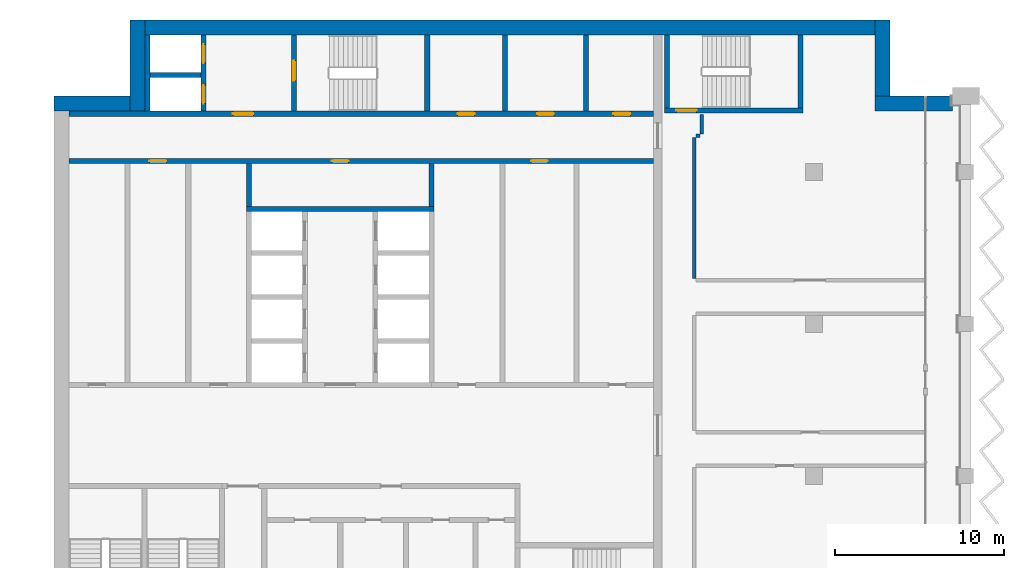
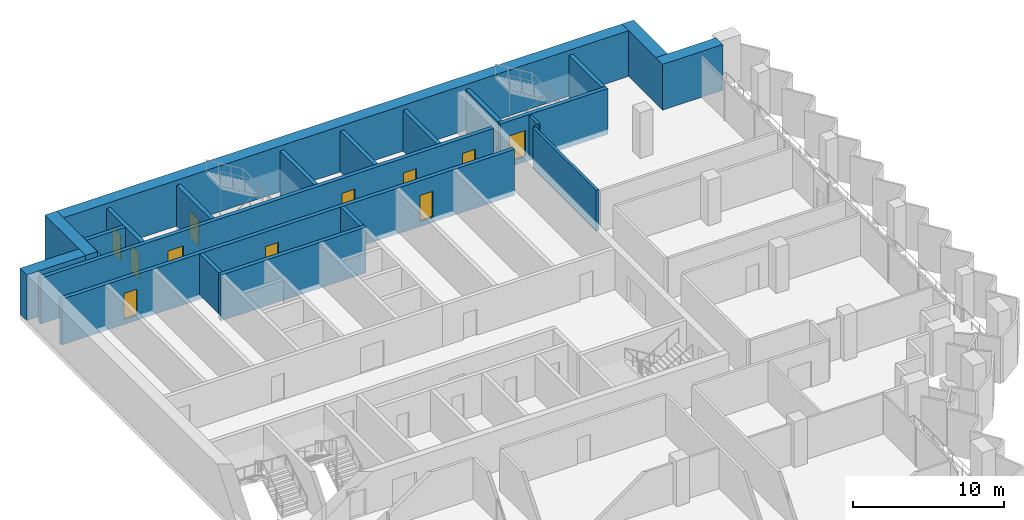
# One storey, part 10 of 16: 23 walls, 11 doors, 11 openings.
"""IFC4 building model written with IfcOpenShell, lengths in metres."""

from ifc_helpers import new_model, si_unit, direction, frame, frame_2d, origin, place, context, subcontext, project, spatial, rectangle, extrude, material, layer, layer_set, type_object, element, fill, save


model = new_model("IFC4")

# Units and contexts
model_context = context("Model", 3, precision=1e-05, world=origin(), true_north=direction((0.0, 1.0)))
body_context = subcontext(model_context, "Body", "Model", "MODEL_VIEW")
ifc_project = project(units=[si_unit("LENGTHUNIT", "METRE"), si_unit("AREAUNIT", "SQUARE_METRE"), si_unit("VOLUMEUNIT", "CUBIC_METRE"), si_unit("PLANEANGLEUNIT", "RADIAN"), si_unit("MASSUNIT", "GRAM", prefix="KILO")], contexts=[model_context])

# Site, building, storey
site_placement = place(None, origin())
site = spatial("IfcSite", under=ifc_project, at=site_placement, CompositionType="ELEMENT")
building_placement = place(site_placement, origin())
building = spatial("IfcBuilding", under=site, at=building_placement, Name="Hunhe Ridgeline Campus", CompositionType="ELEMENT")
storey_placement = place(building_placement, frame((0.0, 0.0, 246.60009765625)))
storey = spatial("IfcBuildingStorey", under=building, at=storey_placement, Name="L63", CompositionType="ELEMENT", Elevation=246.60009765625)

# Walls
ifc_material_1 = material(Name="Masonry concrete blockwork", Category="masonry")
ifc_layer_1 = layer(ifc_material_1, 0.300048828125)
ifc_layer_set_1 = layer_set([ifc_layer_1], Name="Core room partition 300 concrete block")
wall_type_1 = type_object("IfcWallType", Name="Core room partition 300 concrete block", PredefinedType="PARTITIONING", material=ifc_layer_set_1)
for number, where, z_axis, x_axis, name in (
    (1, (11.550048828125, 87.949951171875, 0.0), (0.0, 0.0, 1.0), (0.0, 1.0, 0.0), "L63 core partition 31"),
    (2, (22.35009765625, 87.949951171875, 0.0), (0.0, 0.0, 1.0), (0.0, 1.0, 0.0), "L63 core partition 41"),
):
    element("IfcWall", number, at=place(storey_placement, frame(where, z_axis=z_axis, x_axis=x_axis)), inside=storey, type_object=wall_type_1, Name=name, PredefinedType="PARTITIONING", context=body_context, shape_type="SweptSolid", body=[
        extrude(rectangle(XDim=2.550048828125, YDim=0.300048828125, at=frame_2d((1.27490234375, 0.0))), origin(), (0.0, 0.0, 1.0), 3.2998046875),
    ])
for number, where, z_axis, x_axis, name in (
    (3, (26.699951171875, 93.60009765625, 0.0), (0.0, 0.0, 1.0), (0.0, 1.0, 0.0), "L63 core partition 45"),
    (4, (31.5, 93.60009765625, 0.0), (0.0, 0.0, 1.0), (0.0, 1.0, 0.0), "L63 core partition 49"),
):
    element("IfcWall", number, at=place(storey_placement, frame(where, z_axis=z_axis, x_axis=x_axis)), inside=storey, type_object=wall_type_1, Name=name, PredefinedType="PARTITIONING", context=body_context, shape_type="SweptSolid", body=[
        extrude(rectangle(XDim=4.5, YDim=0.300048828125, at=frame_2d((2.25, 0.0))), origin(), (0.0, 0.0, 1.0), 3.2998046875),
    ])
ifc_material_2 = material(Name="Gypsum board partition")
ifc_layer_2 = layer(ifc_material_2, 0.199951171875)
ifc_layer_set_2 = layer_set([ifc_layer_2], Name="Corridor partition 200 gypsum board on steel studs")
wall_type_2 = type_object("IfcWallType", Name="Corridor partition 200 gypsum board on steel studs", PredefinedType="PARTITIONING", material=ifc_layer_set_2)
wall_1_placement = place(storey_placement, frame((38.25, 92.14990234375, 0.0), z_axis=(0.0, 0.0, 1.0), x_axis=(-1.0, 0.0, 0.0)))
element("IfcWall", 5, at=wall_1_placement, inside=storey, type_object=wall_type_2, Name="F-L63-wall-032", PredefinedType="PARTITIONING", context=body_context, shape_type="SweptSolid", body=[
    extrude(rectangle(XDim=0.25, YDim=0.199951171875, at=frame_2d((0.125, 0.0))), origin(), (0.0, 0.0, 1.0), 3.2998046875),
])
wall_2_placement = place(storey_placement, frame((37.89990234375, 92.050048828125, 0.0), z_axis=(0.0, 0.0, 1.0), x_axis=(0.0, -1.0, 0.0)))
element("IfcWall", 6, at=wall_2_placement, inside=storey, type_object=wall_type_2, Name="F-L63-wall-041", PredefinedType="PARTITIONING", context=body_context, shape_type="SweptSolid", body=[
    extrude(rectangle(XDim=8.35009765625, YDim=0.199951171875, at=frame_2d((4.175048828125, 0.0))), origin(), (0.0, 0.0, 1.0), 3.2998046875),
])
wall_3_placement = place(storey_placement, frame((38.35009765625, 93.39599609375, 0.0), z_axis=(0.0, 0.0, 1.0), x_axis=(0.0, -1.0, 0.0)))
element("IfcWall", 7, at=wall_3_placement, inside=storey, type_object=wall_type_2, Name="F-L63-wall-042", PredefinedType="PARTITIONING", context=body_context, shape_type="SweptSolid", body=[
    extrude(rectangle(XDim=1.14599609375, YDim=0.199951171875, at=frame_2d((0.572998046875, 0.0))), origin(), (0.0, 0.0, 1.0), 3.2998046875),
])

# Wall, openings, doors
ifc_material_3 = material(Name="Concrete C50", Category="concrete")
ifc_layer_3 = layer(ifc_material_3, 0.300048828125)
ifc_layer_set_3 = layer_set([ifc_layer_3], Name="Lobby wall 300 reinforced concrete C50")
wall_type_3 = type_object("IfcWallType", Name="Lobby wall 300 reinforced concrete C50", PredefinedType="SOLIDWALL", material=ifc_layer_set_3)
wall_4_placement = place(storey_placement, frame((0.89990234375, 90.64990234375, -0.400146484375), z_axis=(0.0, 0.0, 1.0), x_axis=(1.0, 0.0, 0.0)))
wall_4 = element("IfcWall", 8, at=wall_4_placement, inside=storey, type_object=wall_type_3, Name="L63 core wall 19", PredefinedType="SOLIDWALL", context=body_context, shape_type="SweptSolid", body=[
    extrude(rectangle(XDim=34.60009765625, YDim=0.300048828125, at=frame_2d((17.300048828125, 0.0))), origin(), (0.0, 0.0, 1.0), 3.699951171875),
])
opening_1_placement = place(wall_4_placement, frame((15.550048828125, 0.0, 0.39990234375)))
opening_1 = element("IfcOpeningElement", 9, at=opening_1_placement, cuts=wall_4, Name="Opening CD26", PredefinedType="OPENING", context=body_context, shape_type="SweptSolid", body=[
    extrude(rectangle(XDim=1.0, YDim=2.10009765625, at=frame_2d((0.5, 1.050048828125))), frame((0.0, 0.14990234375, 0.0), z_axis=(0.0, -1.0, 0.0), x_axis=(1.0, 0.0, 0.0)), (0.0, 0.0, 1.0), 0.300048828125),
])
opening_2_placement = place(wall_4_placement, frame((4.75, 0.0, 0.39990234375)))
opening_2 = element("IfcOpeningElement", 10, at=opening_2_placement, cuts=wall_4, Name="Opening CD40", PredefinedType="OPENING", context=body_context, shape_type="SweptSolid", body=[
    extrude(rectangle(XDim=1.0, YDim=2.10009765625, at=frame_2d((0.5, 1.050048828125))), frame((0.0, 0.14990234375, 0.0), z_axis=(0.0, -1.0, 0.0), x_axis=(1.0, 0.0, 0.0)), (0.0, 0.0, 1.0), 0.300048828125),
])
opening_3_placement = place(wall_4_placement, frame((27.35009765625, 0.0, 0.39990234375)))
opening_3 = element("IfcOpeningElement", 11, at=opening_3_placement, cuts=wall_4, Name="Opening CD33", PredefinedType="OPENING", context=body_context, shape_type="SweptSolid", body=[
    extrude(rectangle(XDim=1.0, YDim=2.10009765625, at=frame_2d((0.5, 1.050048828125))), frame((0.0, 0.14990234375, 0.0), z_axis=(0.0, -1.0, 0.0), x_axis=(1.0, 0.0, 0.0)), (0.0, 0.0, 1.0), 0.300048828125),
])
ifc_material_4 = material(Name="Solid core timber door leaf", Category="wood")
door_type_1 = type_object("IfcDoorType", Name="Timber door 1000x2100", OperationType="SINGLE_SWING_LEFT", PredefinedType="DOOR", material=ifc_material_4)
door_1_placement = place(opening_1_placement, frame((1.0, 0.0, 0.0), z_axis=(0.0, 0.0, 1.0), x_axis=(-1.0, 0.0, 0.0)))
door_1 = element("IfcDoor", 12, at=door_1_placement, inside=storey, type_object=door_type_1, Name="L63 door NR-0", OperationType="SINGLE_SWING_RIGHT", OverallHeight=2.10009765625, OverallWidth=1.0, PredefinedType="DOOR", context=body_context, shape_type="SweptSolid", body=[
    extrude(rectangle(XDim=1.0, YDim=2.10009765625, at=frame_2d((0.5, 1.050048828125))), frame((0.0, 0.02490234375, 0.0), z_axis=(0.0, -1.0, 0.0), x_axis=(1.0, 0.0, 0.0)), (0.0, 0.0, 1.0), 0.050048828125),
])
fill(opening_1, door_1)
door_2_placement = place(opening_2_placement, frame((1.0, 0.0, 0.0), z_axis=(0.0, 0.0, 1.0), x_axis=(-1.0, 0.0, 0.0)))
door_2 = element("IfcDoor", 13, at=door_2_placement, inside=storey, type_object=door_type_1, Name="L63 door VD-LR1", OperationType="SINGLE_SWING_RIGHT", OverallHeight=2.10009765625, OverallWidth=1.0, PredefinedType="DOOR", context=body_context, shape_type="SweptSolid", body=[
    extrude(rectangle(XDim=1.0, YDim=2.10009765625, at=frame_2d((0.5, 1.050048828125))), frame((0.0, 0.02490234375, 0.0), z_axis=(0.0, -1.0, 0.0), x_axis=(1.0, 0.0, 0.0)), (0.0, 0.0, 1.0), 0.050048828125),
])
fill(opening_2, door_2)
door_3_placement = place(opening_3_placement, frame((1.0, 0.0, 0.0), z_axis=(0.0, 0.0, 1.0), x_axis=(-1.0, 0.0, 0.0)))
door_3 = element("IfcDoor", 14, at=door_3_placement, inside=storey, type_object=door_type_1, Name="L63 door ES1", OperationType="SINGLE_SWING_RIGHT", OverallHeight=2.10009765625, OverallWidth=1.0, PredefinedType="DOOR", context=body_context, shape_type="SweptSolid", body=[
    extrude(rectangle(XDim=1.0, YDim=2.10009765625, at=frame_2d((0.5, 1.050048828125))), frame((0.0, 0.02490234375, 0.0), z_axis=(0.0, -1.0, 0.0), x_axis=(1.0, 0.0, 0.0)), (0.0, 0.0, 1.0), 0.050048828125),
])
fill(opening_3, door_3)

# Wall
ifc_layer_4 = layer(ifc_material_3, 0.300048828125)
ifc_layer_set_4 = layer_set([ifc_layer_4], Name="Shaft wall 300 reinforced concrete C50")
wall_type_4 = type_object("IfcWallType", Name="Shaft wall 300 reinforced concrete C50", PredefinedType="SOLIDWALL", material=ifc_layer_set_4)
wall_5_placement = place(storey_placement, frame((11.39990234375, 87.800048828125, -0.400146484375), z_axis=(0.0, 0.0, 1.0), x_axis=(1.0, 0.0, 0.0)))
element("IfcWall", 15, at=wall_5_placement, inside=storey, type_object=wall_type_4, Name="L63 core wall 18", PredefinedType="SOLIDWALL", context=body_context, shape_type="SweptSolid", body=[
    extrude(rectangle(XDim=11.10009765625, YDim=0.300048828125, at=frame_2d((5.550048828125, 0.0))), origin(), (0.0, 0.0, 1.0), 3.699951171875),
])

# Wall, openings, doors
wall_6_placement = place(storey_placement, frame((0.89990234375, 93.449951171875, -0.400146484375), z_axis=(0.0, 0.0, 1.0), x_axis=(1.0, 0.0, 0.0)))
wall_6 = element("IfcWall", 16, at=wall_6_placement, inside=storey, type_object=wall_type_4, Name="L63 core wall 20", PredefinedType="SOLIDWALL", context=body_context, shape_type="SweptSolid", body=[
    extrude(rectangle(XDim=34.60009765625, YDim=0.300048828125, at=frame_2d((17.300048828125, 0.0))), origin(), (0.0, 0.0, 1.0), 3.699951171875),
])
opening_4_placement = place(wall_6_placement, frame((9.699951171875, 0.0, 0.39990234375)))
opening_4 = element("IfcOpeningElement", 17, at=opening_4_placement, cuts=wall_6, Name="Opening CD3", PredefinedType="OPENING", context=body_context, shape_type="SweptSolid", body=[
    extrude(rectangle(XDim=1.199951171875, YDim=2.10009765625, at=frame_2d((0.60009765625, 1.050048828125))), frame((0.0, 0.14990234375, 0.0), z_axis=(0.0, -1.0, 0.0), x_axis=(1.0, 0.0, 0.0)), (0.0, 0.0, 1.0), 0.300048828125),
])
opening_5_placement = place(wall_6_placement, frame((23.0, 0.0, 0.39990234375)))
opening_5 = element("IfcOpeningElement", 18, at=opening_5_placement, cuts=wall_6, Name="Opening CD34", PredefinedType="OPENING", context=body_context, shape_type="SweptSolid", body=[
    extrude(rectangle(XDim=1.0, YDim=2.10009765625, at=frame_2d((0.5, 1.050048828125))), frame((0.0, 0.14990234375, 0.0), z_axis=(0.0, -1.0, 0.0), x_axis=(1.0, 0.0, 0.0)), (0.0, 0.0, 1.0), 0.300048828125),
])
opening_6_placement = place(wall_6_placement, frame((27.699951171875, 0.0, 0.39990234375)))
opening_6 = element("IfcOpeningElement", 19, at=opening_6_placement, cuts=wall_6, Name="Opening CD35", PredefinedType="OPENING", context=body_context, shape_type="SweptSolid", body=[
    extrude(rectangle(XDim=1.0, YDim=2.10009765625, at=frame_2d((0.5, 1.050048828125))), frame((0.0, 0.14990234375, 0.0), z_axis=(0.0, -1.0, 0.0), x_axis=(1.0, 0.0, 0.0)), (0.0, 0.0, 1.0), 0.300048828125),
])
opening_7_placement = place(wall_6_placement, frame((32.22509765625, 0.0, 0.39990234375)))
opening_7 = element("IfcOpeningElement", 20, at=opening_7_placement, cuts=wall_6, Name="Opening CD36", PredefinedType="OPENING", context=body_context, shape_type="SweptSolid", body=[
    extrude(rectangle(XDim=1.0, YDim=2.10009765625, at=frame_2d((0.5, 1.050048828125))), frame((0.0, 0.14990234375, 0.0), z_axis=(0.0, -1.0, 0.0), x_axis=(1.0, 0.0, 0.0)), (0.0, 0.0, 1.0), 0.300048828125),
])
ifc_material_5 = material(Name="Hollow metal fire door leaf")
door_type_2 = type_object("IfcDoorType", Name="Lobby door 1200x2100 FD60", OperationType="SINGLE_SWING_LEFT", PredefinedType="DOOR", material=ifc_material_5)
door_4_placement = place(opening_4_placement, frame((1.199951171875, 0.0, 0.0), z_axis=(0.0, 0.0, 1.0), x_axis=(-1.0, 0.0, 0.0)))
door_4 = element("IfcDoor", 21, at=door_4_placement, inside=storey, type_object=door_type_2, Name="L63 door FF-C1", OperationType="SINGLE_SWING_RIGHT", OverallHeight=2.10009765625, OverallWidth=1.199951171875, PredefinedType="DOOR", context=body_context, shape_type="SweptSolid", body=[
    extrude(rectangle(XDim=1.199951171875, YDim=2.10009765625, at=frame_2d((0.60009765625, 1.050048828125))), frame((0.0, 0.02490234375, 0.0), z_axis=(0.0, -1.0, 0.0), x_axis=(1.0, 0.0, 0.0)), (0.0, 0.0, 1.0), 0.050048828125),
])
fill(opening_4, door_4)
door_5_placement = place(opening_5_placement, origin())
door_5 = element("IfcDoor", 22, at=door_5_placement, inside=storey, type_object=door_type_1, Name="L63 door NB0", OperationType="SINGLE_SWING_LEFT", OverallHeight=2.10009765625, OverallWidth=1.0, PredefinedType="DOOR", context=body_context, shape_type="SweptSolid", body=[
    extrude(rectangle(XDim=1.0, YDim=2.10009765625, at=frame_2d((0.5, 1.050048828125))), frame((0.0, 0.02490234375, 0.0), z_axis=(0.0, -1.0, 0.0), x_axis=(1.0, 0.0, 0.0)), (0.0, 0.0, 1.0), 0.050048828125),
])
fill(opening_5, door_5)
door_6_placement = place(opening_6_placement, origin())
door_6 = element("IfcDoor", 23, at=door_6_placement, inside=storey, type_object=door_type_1, Name="L63 door NB1", OperationType="SINGLE_SWING_RIGHT", OverallHeight=2.10009765625, OverallWidth=1.0, PredefinedType="DOOR", context=body_context, shape_type="SweptSolid", body=[
    extrude(rectangle(XDim=1.0, YDim=2.10009765625, at=frame_2d((0.5, 1.050048828125))), frame((0.0, 0.02490234375, 0.0), z_axis=(0.0, -1.0, 0.0), x_axis=(1.0, 0.0, 0.0)), (0.0, 0.0, 1.0), 0.050048828125),
])
fill(opening_6, door_6)
door_7_placement = place(opening_7_placement, origin())
door_7 = element("IfcDoor", 24, at=door_7_placement, inside=storey, type_object=door_type_1, Name="L63 door NB2", OperationType="SINGLE_SWING_LEFT", OverallHeight=2.10009765625, OverallWidth=1.0, PredefinedType="DOOR", context=body_context, shape_type="SweptSolid", body=[
    extrude(rectangle(XDim=1.0, YDim=2.10009765625, at=frame_2d((0.5, 1.050048828125))), frame((0.0, 0.02490234375, 0.0), z_axis=(0.0, -1.0, 0.0), x_axis=(1.0, 0.0, 0.0)), (0.0, 0.0, 1.0), 0.050048828125),
])
fill(opening_7, door_7)

# Walls
wall_7_placement = place(storey_placement, frame((5.699951171875, 95.75, -0.400146484375), z_axis=(0.0, 0.0, 1.0), x_axis=(1.0, 0.0, 0.0)))
element("IfcWall", 25, at=wall_7_placement, inside=storey, type_object=wall_type_4, Name="L63 core wall 22", PredefinedType="SOLIDWALL", context=body_context, shape_type="SweptSolid", body=[
    extrude(rectangle(XDim=3.0, YDim=0.300048828125, at=frame_2d((1.5, 0.0))), origin(), (0.0, 0.0, 1.0), 3.699951171875),
])
wall_8_placement = place(storey_placement, frame((5.550048828125, 93.60009765625, -0.400146484375), z_axis=(0.0, 0.0, 1.0), x_axis=(0.0, 1.0, 0.0)))
element("IfcWall", 26, at=wall_8_placement, inside=storey, type_object=wall_type_4, Name="L63 core wall 25", PredefinedType="SOLIDWALL", context=body_context, shape_type="SweptSolid", body=[
    extrude(rectangle(XDim=4.5, YDim=0.300048828125, at=frame_2d((2.25, 0.0))), origin(), (0.0, 0.0, 1.0), 3.699951171875),
])

# Wall, openings, doors
wall_9_placement = place(storey_placement, frame((8.85009765625, 93.60009765625, -0.400146484375), z_axis=(0.0, 0.0, 1.0), x_axis=(0.0, 1.0, 0.0)))
wall_9 = element("IfcWall", 27, at=wall_9_placement, inside=storey, type_object=wall_type_4, Name="L63 core wall 28", PredefinedType="SOLIDWALL", context=body_context, shape_type="SweptSolid", body=[
    extrude(rectangle(XDim=4.5, YDim=0.300048828125, at=frame_2d((2.25, 0.0))), origin(), (0.0, 0.0, 1.0), 3.699951171875),
])
opening_8_placement = place(wall_9_placement, frame((0.449951171875, 0.0, 0.39990234375)))
opening_8 = element("IfcOpeningElement", 28, at=opening_8_placement, cuts=wall_9, Name="Opening LD-FF1", PredefinedType="OPENING", context=body_context, shape_type="SweptSolid", body=[
    extrude(rectangle(XDim=1.10009765625, YDim=2.10009765625, at=frame_2d((0.550048828125, 1.050048828125))), frame((0.0, 0.14990234375, 0.0), z_axis=(0.0, -1.0, 0.0), x_axis=(1.0, 0.0, 0.0)), (0.0, 0.0, 1.0), 0.300048828125),
])
opening_9_placement = place(wall_9_placement, frame((2.85009765625, 0.0, 0.39990234375)))
opening_9 = element("IfcOpeningElement", 29, at=opening_9_placement, cuts=wall_9, Name="Opening LD-FF2", PredefinedType="OPENING", context=body_context, shape_type="SweptSolid", body=[
    extrude(rectangle(XDim=1.10009765625, YDim=2.10009765625, at=frame_2d((0.550048828125, 1.050048828125))), frame((0.0, 0.14990234375, 0.0), z_axis=(0.0, -1.0, 0.0), x_axis=(1.0, 0.0, 0.0)), (0.0, 0.0, 1.0), 0.300048828125),
])
ifc_material_6 = material(Name="Stainless steel sliding leaves", Category="steel")
door_type_3 = type_object("IfcDoorType", Name="Landing door 1100x2100 FD120", OperationType="SLIDING_TO_LEFT", PredefinedType="DOOR", material=ifc_material_6)
door_8_placement = place(opening_8_placement, origin())
door_8 = element("IfcDoor", 30, at=door_8_placement, inside=storey, type_object=door_type_3, Name="L63 landing door FF1", OperationType="SLIDING_TO_RIGHT", OverallHeight=2.10009765625, OverallWidth=1.10009765625, PredefinedType="DOOR", context=body_context, shape_type="SweptSolid", body=[
    extrude(rectangle(XDim=1.10009765625, YDim=2.10009765625, at=frame_2d((0.550048828125, 1.050048828125))), frame((0.0, 0.02490234375, 0.0), z_axis=(0.0, -1.0, 0.0), x_axis=(1.0, 0.0, 0.0)), (0.0, 0.0, 1.0), 0.050048828125),
])
fill(opening_8, door_8)
door_9_placement = place(opening_9_placement, origin())
door_9 = element("IfcDoor", 31, at=door_9_placement, inside=storey, type_object=door_type_3, Name="L63 landing door FF2", OperationType="SLIDING_TO_LEFT", OverallHeight=2.10009765625, OverallWidth=1.10009765625, PredefinedType="DOOR", context=body_context, shape_type="SweptSolid", body=[
    extrude(rectangle(XDim=1.10009765625, YDim=2.10009765625, at=frame_2d((0.550048828125, 1.050048828125))), frame((0.0, 0.02490234375, 0.0), z_axis=(0.0, -1.0, 0.0), x_axis=(1.0, 0.0, 0.0)), (0.0, 0.0, 1.0), 0.050048828125),
])
fill(opening_9, door_9)

# Walls
ifc_material_7 = material(Name="Concrete C60", Category="concrete")
ifc_layer_5 = layer(ifc_material_7, 0.89990234375)
ifc_layer_set_5 = layer_set([ifc_layer_5], Name="Spine wall 900 Concrete C60")
wall_type_5 = type_object("IfcWallType", Name="Spine wall 900 Concrete C60", PredefinedType="SHEAR", material=ifc_layer_set_5)
wall_10_placement = place(storey_placement, frame((53.199951171875, 94.050048828125, 0.0), z_axis=(0.0, 0.0, 1.0), x_axis=(-1.0, 0.0, 0.0)))
element("IfcWall", 32, at=wall_10_placement, inside=storey, type_object=wall_type_5, Name="Spine wall SW3-2 L63", PredefinedType="SHEAR", context=body_context, shape_type="SweptSolid", body=[
    extrude(rectangle(XDim=4.599853515625, YDim=0.89990234375, at=frame_2d((2.2998046875, 0.0))), origin(), (0.0, 0.0, 1.0), 3.699951171875),
])
wall_11_placement = place(storey_placement, frame((49.050048828125, 93.60009765625, 0.0), z_axis=(0.0, 0.0, 1.0), x_axis=(0.0, 1.0, 0.0)))
element("IfcWall", 33, at=wall_11_placement, inside=storey, type_object=wall_type_5, Name="Spine wall SW3-3 L63", PredefinedType="SHEAR", context=body_context, shape_type="SweptSolid", body=[
    extrude(rectangle(XDim=5.39990234375, YDim=0.89990234375, at=frame_2d((2.699951171875, 0.0))), origin(), (0.0, 0.0, 1.0), 3.699951171875),
])
wall_12_placement = place(storey_placement, frame((49.5, 98.550048828125, 0.0), z_axis=(0.0, 0.0, 1.0), x_axis=(-1.0, 0.0, 0.0)))
element("IfcWall", 34, at=wall_12_placement, inside=storey, type_object=wall_type_5, Name="Spine wall SW3-4 L63", PredefinedType="SHEAR", context=body_context, shape_type="SweptSolid", body=[
    extrude(rectangle(XDim=45.0, YDim=0.89990234375, at=frame_2d((22.5, 0.0))), origin(), (0.0, 0.0, 1.0), 3.699951171875),
])
for number, where, z_axis, x_axis, name in (
    (35, (4.949951171875, 99.0, 0.0), (0.0, 0.0, 1.0), (0.0, -1.0, 0.0), "Spine wall SW3-5 L63"),
    (36, (5.400146484375, 94.050048828125, 0.0), (0.0, 0.0, 1.0), (-1.0, 0.0, 0.0), "Spine wall SW3-6 L63"),
):
    element("IfcWall", number, at=place(storey_placement, frame(where, z_axis=z_axis, x_axis=x_axis)), inside=storey, type_object=wall_type_5, Name=name, PredefinedType="SHEAR", context=body_context, shape_type="SweptSolid", body=[
        extrude(rectangle(XDim=5.400146484375, YDim=0.89990234375, at=frame_2d((2.7001953125, 0.0))), origin(), (0.0, 0.0, 1.0), 3.699951171875),
    ])

# Wall, opening, door
ifc_layer_6 = layer(ifc_material_3, 0.300048828125)
ifc_layer_set_6 = layer_set([ifc_layer_6], Name="Stair wall 300 reinforced concrete C50")
wall_type_6 = type_object("IfcWallType", Name="Stair wall 300 reinforced concrete C50", PredefinedType="SOLIDWALL", material=ifc_layer_set_6)
wall_13_placement = place(storey_placement, frame((36.14990234375, 93.64990234375, -0.400146484375), z_axis=(0.0, 0.0, 1.0), x_axis=(1.0, 0.0, 0.0)))
wall_13 = element("IfcWall", 37, at=wall_13_placement, inside=storey, type_object=wall_type_6, Name="L63 core wall 21", PredefinedType="SOLIDWALL", context=body_context, shape_type="SweptSolid", body=[
    extrude(rectangle(XDim=8.2001953125, YDim=0.300048828125, at=frame_2d((4.10009765625, 0.0))), origin(), (0.0, 0.0, 1.0), 3.699951171875),
])
opening_10_placement = place(wall_13_placement, frame((0.699951171875, 0.0, 0.39990234375)))
opening_10 = element("IfcOpeningElement", 38, at=opening_10_placement, cuts=wall_13, Name="Opening CD17", PredefinedType="OPENING", context=body_context, shape_type="SweptSolid", body=[
    extrude(rectangle(XDim=1.199951171875, YDim=2.10009765625, at=frame_2d((0.60009765625, 1.050048828125))), frame((0.0, 0.14990234375, 0.0), z_axis=(0.0, -1.0, 0.0), x_axis=(1.0, 0.0, 0.0)), (0.0, 0.0, 1.0), 0.300048828125),
])
door_type_4 = type_object("IfcDoorType", Name="Stair door 1200x2100 FD60", OperationType="SINGLE_SWING_LEFT", PredefinedType="DOOR", material=ifc_material_5)
door_10_placement = place(opening_10_placement, frame((1.199951171875, 0.0, 0.0), z_axis=(0.0, 0.0, 1.0), x_axis=(-1.0, 0.0, 0.0)))
door_10 = element("IfcDoor", 39, at=door_10_placement, inside=storey, type_object=door_type_4, Name="L63 door E1", OperationType="SINGLE_SWING_LEFT", OverallHeight=2.10009765625, OverallWidth=1.199951171875, PredefinedType="DOOR", context=body_context, shape_type="SweptSolid", body=[
    extrude(rectangle(XDim=1.199951171875, YDim=2.10009765625, at=frame_2d((0.60009765625, 1.050048828125))), frame((0.0, 0.02490234375, 0.0), z_axis=(0.0, -1.0, 0.0), x_axis=(1.0, 0.0, 0.0)), (0.0, 0.0, 1.0), 0.050048828125),
])
fill(opening_10, door_10)

wall_14_placement = place(storey_placement, frame((14.199951171875, 93.60009765625, -0.400146484375), z_axis=(0.0, 0.0, 1.0), x_axis=(0.0, 1.0, 0.0)))
wall_14 = element("IfcWall", 40, at=wall_14_placement, inside=storey, type_object=wall_type_6, Name="L63 core wall 33", PredefinedType="SOLIDWALL", context=body_context, shape_type="SweptSolid", body=[
    extrude(rectangle(XDim=4.5, YDim=0.300048828125, at=frame_2d((2.25, 0.0))), origin(), (0.0, 0.0, 1.0), 3.699951171875),
])
opening_11_placement = place(wall_14_placement, frame((1.800048828125, 0.0, 0.39990234375)))
opening_11 = element("IfcOpeningElement", 41, at=opening_11_placement, cuts=wall_14, Name="Opening CD16", PredefinedType="OPENING", context=body_context, shape_type="SweptSolid", body=[
    extrude(rectangle(XDim=1.199951171875, YDim=2.10009765625, at=frame_2d((0.60009765625, 1.050048828125))), frame((0.0, 0.14990234375, 0.0), z_axis=(0.0, -1.0, 0.0), x_axis=(1.0, 0.0, 0.0)), (0.0, 0.0, 1.0), 0.300048828125),
])
door_11_placement = place(opening_11_placement, origin())
door_11 = element("IfcDoor", 42, at=door_11_placement, inside=storey, type_object=door_type_4, Name="L63 door S1-FF", OperationType="SINGLE_SWING_RIGHT", OverallHeight=2.10009765625, OverallWidth=1.199951171875, PredefinedType="DOOR", context=body_context, shape_type="SweptSolid", body=[
    extrude(rectangle(XDim=1.199951171875, YDim=2.10009765625, at=frame_2d((0.60009765625, 1.050048828125))), frame((0.0, 0.02490234375, 0.0), z_axis=(0.0, -1.0, 0.0), x_axis=(1.0, 0.0, 0.0)), (0.0, 0.0, 1.0), 0.050048828125),
])
fill(opening_11, door_11)

# Walls
wall_15_placement = place(storey_placement, frame((22.10009765625, 93.60009765625, -0.400146484375), z_axis=(0.0, 0.0, 1.0), x_axis=(0.0, 1.0, 0.0)))
element("IfcWall", 43, at=wall_15_placement, inside=storey, type_object=wall_type_6, Name="L63 core wall 39", PredefinedType="SOLIDWALL", context=body_context, shape_type="SweptSolid", body=[
    extrude(rectangle(XDim=4.5, YDim=0.300048828125, at=frame_2d((2.25, 0.0))), origin(), (0.0, 0.0, 1.0), 3.699951171875),
])
for number, where, z_axis, x_axis, name in (
    (44, (36.300048828125, 93.800048828125, -0.400146484375), (0.0, 0.0, 1.0), (0.0, 1.0, 0.0), "L63 core wall 51"),
    (45, (44.199951171875, 93.800048828125, -0.400146484375), (0.0, 0.0, 1.0), (0.0, 1.0, 0.0), "L63 core wall 52"),
):
    element("IfcWall", number, at=place(storey_placement, frame(where, z_axis=z_axis, x_axis=x_axis)), inside=storey, type_object=wall_type_6, Name=name, PredefinedType="SOLIDWALL", context=body_context, shape_type="SweptSolid", body=[
        extrude(rectangle(XDim=4.300048828125, YDim=0.300048828125, at=frame_2d((2.14990234375, 0.0))), origin(), (0.0, 0.0, 1.0), 3.699951171875),
    ])

save(model, "model.ifc")
